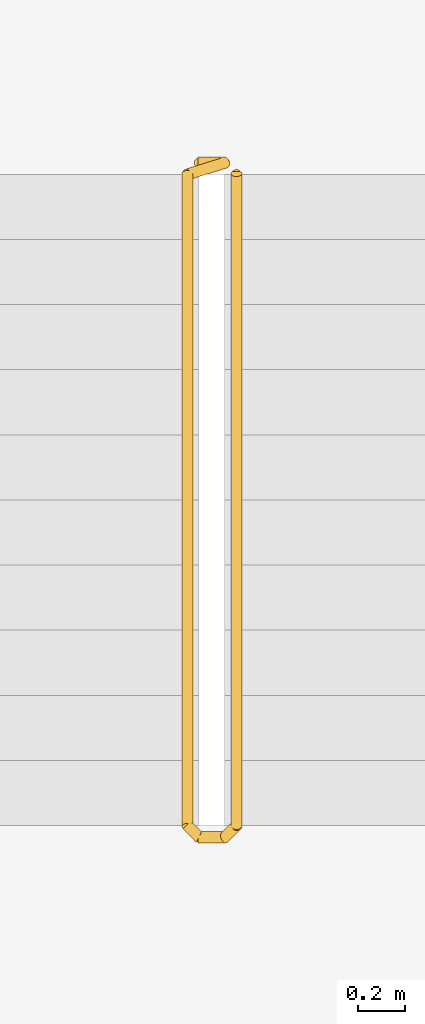
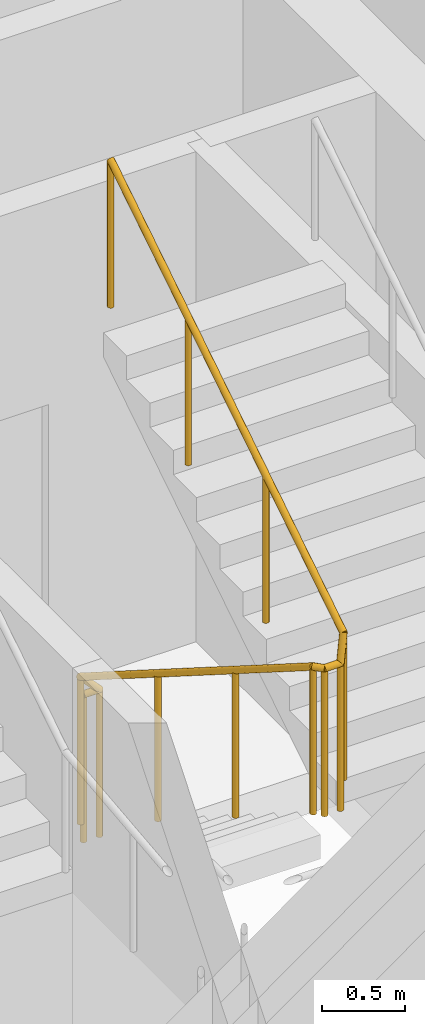
# One storey, part 14 of 14: 1 railing.
"""IFC4 building model written with IfcOpenShell, lengths in metres."""

from ifc_helpers import new_model, si_unit, direction, frame, origin, origin_2d, place, context, subcontext, project, spatial, circle, extrude, material, type_object, element, save


model = new_model("IFC4")

# Units and contexts
model_context = context("Model", 3, precision=1e-05, world=origin(), true_north=direction((0.0, 1.0)))
body_context = subcontext(model_context, "Body", "Model", "MODEL_VIEW")
ifc_project = project(units=[si_unit("LENGTHUNIT", "METRE"), si_unit("AREAUNIT", "SQUARE_METRE"), si_unit("VOLUMEUNIT", "CUBIC_METRE"), si_unit("PLANEANGLEUNIT", "RADIAN"), si_unit("MASSUNIT", "GRAM", prefix="KILO")], contexts=[model_context])

# Site, building, storey
site_placement = place(None, origin())
site = spatial("IfcSite", under=ifc_project, at=site_placement, CompositionType="ELEMENT")
building_placement = place(site_placement, origin())
building = spatial("IfcBuilding", under=site, at=building_placement, Name="Tessera Arch", CompositionType="ELEMENT")
storey_placement = place(building_placement, frame((0.0, 0.0, 215.0)))
storey = spatial("IfcBuildingStorey", under=building, at=storey_placement, Name="L51", CompositionType="ELEMENT", Elevation=215.0)

# Railing
ifc_material = material(Name="Painted steel balustrade", Category="steel")
railing_type = type_object("IfcRailingType", Name="Stair guard 1100", PredefinedType="GUARDRAIL", material=ifc_material)
railing_placement = place(storey_placement, frame((44.919921875, 43.6298828125, 0.0)))
element("IfcRailing", 1, at=railing_placement, inside=storey, type_object=railing_type, Name="L51 S1c stair guard 1", PredefinedType="GUARDRAIL", context=body_context, shape_type="SweptSolid", body=[
    extrude(circle(Radius=0.02392578125, at=origin_2d()), frame((-0.00390625, 0.0, 1.076171875), z_axis=(1.0, 0.0, 0.0), x_axis=(0.0, 1.0, 0.0)), (0.0, 0.0, 1.0), 0.1181640625),
    extrude(circle(Radius=0.02392578125, at=origin_2d()), frame((0.11279296875, 0.000732421875, 1.0732421875), z_axis=(-0.65574896516, -0.204233265485, 0.726830150696), x_axis=(0.297361876254, -0.954764847777, 0.0)), (0.0, 0.0, 1.0), 0.251953125),
    extrude(circle(Radius=0.02392578125, at=origin_2d()), frame((-0.0498046875, -0.04638671875, 1.251220703125), z_axis=(0.0, -0.844908973607, 0.534910110503), x_axis=(1.0, 0.0, 0.0)), (0.0, 0.0, 1.0), 3.322021484375),
    extrude(circle(Radius=0.02392578125, at=origin_2d()), frame((-0.052734375, -2.846923828125, 3.02587890625), z_axis=(0.705375805398, -0.708833529934, 0.0), x_axis=(0.708833529934, 0.705375805398, 0.0)), (0.0, 0.0, 1.0), 0.07861328125),
    extrude(circle(Radius=0.02392578125, at=origin_2d()), frame((-0.00390625, -2.89990234375, 3.02587890625), z_axis=(1.0, 0.0, 0.0), x_axis=(0.0, 1.0, 0.0)), (0.0, 0.0, 1.0), 0.1181640625),
    extrude(circle(Radius=0.02392578125, at=origin_2d()), frame((0.109130859375, -2.90087890625, 3.022216796875), z_axis=(0.262233686654, 0.262233686654, 0.928691007369), x_axis=(-0.707106781187, 0.707106781187, 0.0)), (0.0, 0.0, 1.0), 0.198974609375),
    extrude(circle(Radius=0.02392578125, at=origin_2d()), frame((0.16015625, -2.853271484375, 3.201171875), z_axis=(0.0, 0.844908973607, 0.534910110503), x_axis=(-1.0, 0.0, 0.0)), (0.0, 0.0, 1.0), 3.322021484375),
    extrude(circle(Radius=0.02099609375, at=origin_2d()), origin(), (0.0, 0.0, 1.0), 1.06396484375),
    extrude(circle(Radius=0.02099609375, at=origin_2d()), frame((0.110107421875, 0.0, 0.0)), (0.0, 0.0, 1.0), 1.06396484375),
    extrude(circle(Radius=0.02099609375, at=origin_2d()), frame((-0.0498046875, -0.0498046875, 0.17724609375)), (0.0, 0.0, 1.0), 1.06396484375),
    extrude(circle(Radius=0.02099609375, at=origin_2d()), frame((-0.0498046875, -0.983154296875, 0.76806640625)), (0.0, 0.0, 1.0), 1.06396484375),
    extrude(circle(Radius=0.02099609375, at=origin_2d()), frame((-0.0498046875, -1.91650390625, 1.359130859375)), (0.0, 0.0, 1.0), 1.06396484375),
    extrude(circle(Radius=0.02099609375, at=origin_2d()), frame((-0.0498046875, -2.849853515625, 1.949951171875)), (0.0, 0.0, 1.0), 1.06396484375),
    extrude(circle(Radius=0.02099609375, at=origin_2d()), frame((0.0, -2.89990234375, 1.949951171875)), (0.0, 0.0, 1.0), 1.06396484375),
    extrude(circle(Radius=0.02099609375, at=origin_2d()), frame((0.110107421875, -2.89990234375, 1.949951171875)), (0.0, 0.0, 1.0), 1.06396484375),
    extrude(circle(Radius=0.02099609375, at=origin_2d()), frame((0.16015625, -2.849853515625, 2.127197265625)), (0.0, 0.0, 1.0), 1.06396484375),
    extrude(circle(Radius=0.02099609375, at=origin_2d()), frame((0.16015625, -1.91650390625, 2.718017578125)), (0.0, 0.0, 1.0), 1.06396484375),
    extrude(circle(Radius=0.02099609375, at=origin_2d()), frame((0.16015625, -0.983154296875, 3.30908203125)), (0.0, 0.0, 1.0), 1.06396484375),
    extrude(circle(Radius=0.02099609375, at=origin_2d()), frame((0.16015625, -0.0498046875, 3.89990234375)), (0.0, 0.0, 1.0), 1.06396484375),
])

save(model, "model.ifc")
